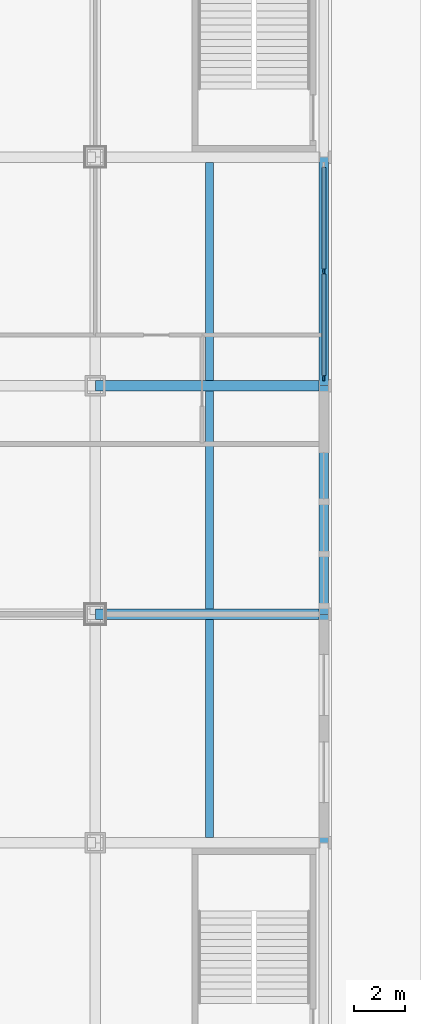
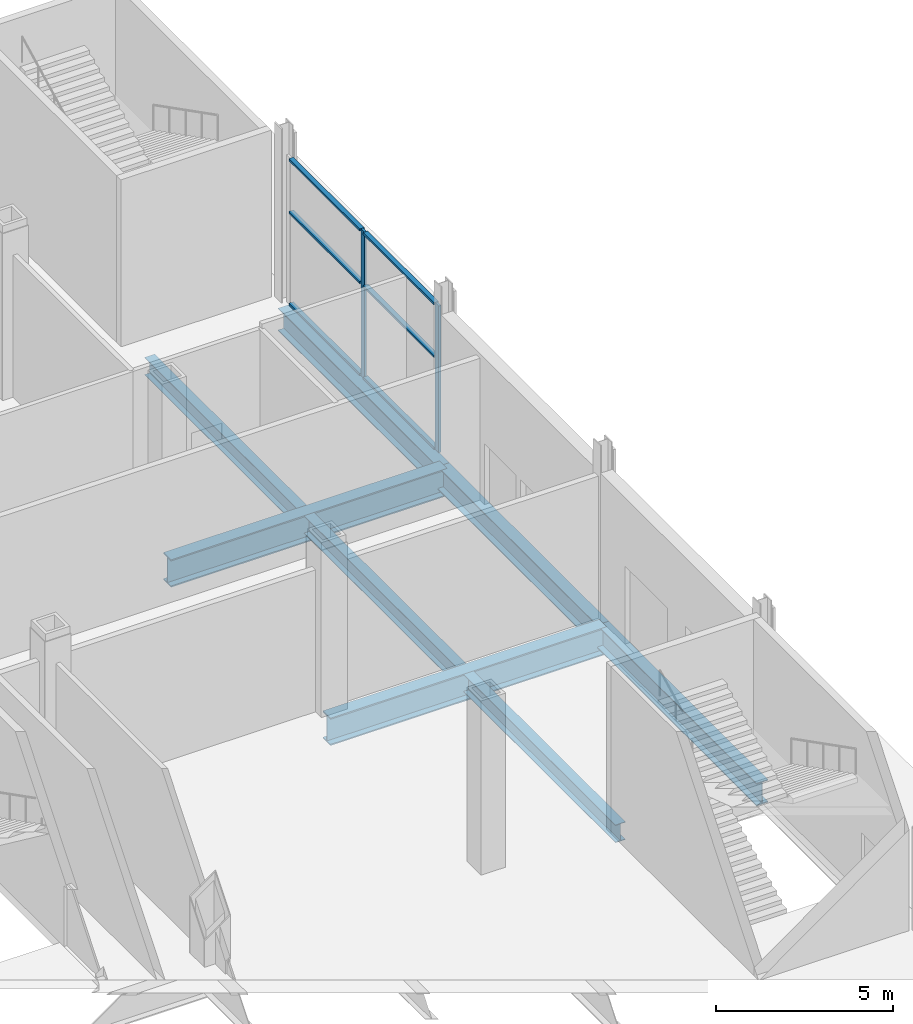
# One storey, part 13 of 34: 8 beams, 8 members, 1 element without a shape of its own.
"""IFC4 building model written with IfcOpenShell, lengths in metres."""

from ifc_helpers import new_model, si_unit, direction, frame, origin, origin_2d, place, context, subcontext, project, spatial, rectangle, i_section, extrude, material, material_profile, profile_set, type_object, element, aggregate, save


model = new_model("IFC4")

# Units and contexts
model_context = context("Model", 3, precision=1e-05, world=origin(), true_north=direction((0.0, 1.0)))
body_context = subcontext(model_context, "Body", "Model", "MODEL_VIEW")
ifc_project = project(units=[si_unit("LENGTHUNIT", "METRE"), si_unit("AREAUNIT", "SQUARE_METRE"), si_unit("VOLUMEUNIT", "CUBIC_METRE"), si_unit("PLANEANGLEUNIT", "RADIAN"), si_unit("MASSUNIT", "GRAM", prefix="KILO")], contexts=[model_context])

# Site, building, storey
site_placement = place(None, origin())
site = spatial("IfcSite", under=ifc_project, at=site_placement, CompositionType="ELEMENT")
building_placement = place(site_placement, origin())
building = spatial("IfcBuilding", under=site, at=building_placement, Name="Loomwork Tower", CompositionType="ELEMENT")
storey_placement = place(building_placement, origin())
storey = spatial("IfcBuildingStorey", under=building, at=storey_placement, Name="L00", CompositionType="ELEMENT", Elevation=0.0)

# Beams
ifc_material_1 = material(Name="Steel ASTM A992", Category="steel")
ifc_material_profile_1 = material_profile(ifc_material_1, i_section(OverallWidth=0.381103515625, OverallDepth=0.77978515625, WebThickness=0.01806640625, FlangeThickness=0.0302734375, at=origin_2d()), Name="W30x191")
ifc_profile_set_1 = profile_set([ifc_material_profile_1], Name="Steel ASTM A992")
beam_type_1 = type_object("IfcBeamType", Name="EDGE GIRDER W30x191", PredefinedType="BEAM", material=ifc_profile_set_1)
for number, where, z_axis, x_axis, name in (
    (1, (63.0, 9.0, -0.68994140625), (0.0, 1.0, 0.0), (-1.0, 0.0, 0.0), "Edge Girder E/9-F/9 L00"),
    (2, (63.0, 18.0, -0.68994140625), (0.0, 1.0, 0.0), (-1.0, 0.0, 0.0), "Edge Girder F/9-G/9 L00"),
    (3, (63.0, 27.0, -0.68994140625), (0.0, 1.0, 0.0), (-1.0, 0.0, 0.0), "Edge Girder G/9-H/9 L00"),
):
    element("IfcBeam", number, at=place(storey_placement, frame(where, z_axis=z_axis, x_axis=x_axis)), inside=storey, type_object=beam_type_1, Name=name, PredefinedType="BEAM", context=body_context, shape_type="SweptSolid", body=[
        extrude(i_section(OverallWidth=0.381103515625, OverallDepth=0.77978515625, WebThickness=0.01806640625, FlangeThickness=0.0302734375, at=origin_2d()), origin(), (0.0, 0.0, 1.0), 9.0),
    ])
ifc_material_2 = material(Name="Steel ASTM A992", Category="steel")
ifc_material_profile_2 = material_profile(ifc_material_2, i_section(OverallWidth=0.3251953125, OverallDepth=0.612060546875, WebThickness=0.0126953125, FlangeThickness=0.01904296875, at=origin_2d()), Name="W24x104")
ifc_profile_set_2 = profile_set([ifc_material_profile_2], Name="Steel ASTM A992")
beam_type_2 = type_object("IfcBeamType", Name="FLOOR JOIST W24x104", PredefinedType="JOIST", material=ifc_profile_set_2)
for number, where, z_axis, x_axis, name in (
    (4, (58.5, 9.2119140625, -0.60595703125), (0.0, 1.0, 0.0), (-1.0, 0.0, 0.0), "Floor Joist 58.500,9.000-58.500,18.000 L00"),
    (5, (58.5, 18.2119140625, -0.60595703125), (0.0, 1.0, 0.0), (-1.0, 0.0, 0.0), "Floor Joist 58.500,18.000-58.500,27.000 L00"),
    (6, (58.5, 27.2119140625, -0.60595703125), (0.0, 1.0, 0.0), (-1.0, 0.0, 0.0), "Floor Joist 58.500,27.000-58.500,36.000 L00"),
):
    element("IfcBeam", number, at=place(storey_placement, frame(where, z_axis=z_axis, x_axis=x_axis)), inside=storey, type_object=beam_type_2, Name=name, PredefinedType="JOIST", context=body_context, shape_type="SweptSolid", body=[
        extrude(i_section(OverallWidth=0.3251953125, OverallDepth=0.612060546875, WebThickness=0.0126953125, FlangeThickness=0.01904296875, at=origin_2d()), origin(), (0.0, 0.0, 1.0), 8.576171875),
    ])

# Curtain wall, members
ifc_material_3 = material(Name="Aluminium storefront frame", Category="aluminium")
curtain_wall_type = type_object("IfcCurtainWallType", Name="Storefront glazing", PredefinedType="NOTDEFINED", material=ifc_material_3)
curtain_wall_placement = place(storey_placement, origin())
curtain_wall = element("IfcCurtainWall", 7, at=curtain_wall_placement, inside=storey, type_object=curtain_wall_type, Name="Storefront glazing cw/E-27", PredefinedType="NOTDEFINED")
ifc_material_4 = material(Name="Aluminium storefront frame", Category="aluminium")
ifc_material_profile_3 = material_profile(ifc_material_4, rectangle(XDim=0.074951171875, YDim=0.199951171875, at=origin_2d()), Name="AL 75x200")
ifc_profile_set_3 = profile_set([ifc_material_profile_3], Name="Aluminium storefront frame")
member_type_1 = type_object("IfcMemberType", Name="Storefront glazing mullion", PredefinedType="MULLION", material=ifc_profile_set_3)
member_1_placement = place(storey_placement, frame((63.0, 27.30078125, 0.0), z_axis=(0.0, 0.0, 1.0), x_axis=(-1.0, 0.0, 0.0)))
member_1 = element("IfcMember", 8, at=member_1_placement, type_object=member_type_1, Name="CW7 mullion 1", PredefinedType="MULLION", context=body_context, shape_type="SweptSolid", body=[
    extrude(rectangle(XDim=0.074951171875, YDim=0.199951171875, at=origin_2d()), origin(), (0.0, 0.0, 1.0), 5.053955078125),
])
member_2_placement = place(storey_placement, frame((63.0, 31.5, 0.0), z_axis=(0.0, 0.0, 1.0), x_axis=(-1.0, 0.0, 0.0)))
member_2 = element("IfcMember", 9, at=member_2_placement, type_object=member_type_1, Name="CW7 mullion 2", PredefinedType="MULLION", context=body_context, shape_type="SweptSolid", body=[
    extrude(rectangle(XDim=0.074951171875, YDim=0.199951171875, at=origin_2d()), origin(), (0.0, 0.0, 1.0), 5.053955078125),
])
ifc_material_5 = material(Name="Aluminium storefront frame", Category="aluminium")
ifc_material_profile_4 = material_profile(ifc_material_5, rectangle(XDim=0.14990234375, YDim=0.074951171875, at=origin_2d()), Name="AL 75x150")
ifc_profile_set_4 = profile_set([ifc_material_profile_4], Name="Aluminium storefront frame")
member_type_2 = type_object("IfcMemberType", Name="Storefront glazing transom", PredefinedType="USERDEFINED", material=ifc_profile_set_4)
member_3_placement = place(storey_placement, frame((63.0, 27.400634765625, 0.03759765625), z_axis=(0.0, 1.0, 0.0), x_axis=(-1.0, 0.0, 0.0)))
member_3 = element("IfcMember", 10, at=member_3_placement, type_object=member_type_2, Name="CW7 transom 1.1", ObjectType="TRANSOM", PredefinedType="USERDEFINED", context=body_context, shape_type="SweptSolid", body=[
    extrude(rectangle(XDim=0.14990234375, YDim=0.074951171875, at=origin_2d()), origin(), (0.0, 0.0, 1.0), 3.999267578125),
])
member_4_placement = place(storey_placement, frame((63.0, 27.400634765625, 3.199951171875), z_axis=(0.0, 1.0, 0.0), x_axis=(-1.0, 0.0, 0.0)))
member_4 = element("IfcMember", 11, at=member_4_placement, type_object=member_type_2, Name="CW7 transom 1.2", ObjectType="TRANSOM", PredefinedType="USERDEFINED", context=body_context, shape_type="SweptSolid", body=[
    extrude(rectangle(XDim=0.14990234375, YDim=0.074951171875, at=origin_2d()), origin(), (0.0, 0.0, 1.0), 3.999267578125),
])
member_5_placement = place(storey_placement, frame((63.0, 27.400634765625, 5.0166015625), z_axis=(0.0, 1.0, 0.0), x_axis=(-1.0, 0.0, 0.0)))
member_5 = element("IfcMember", 12, at=member_5_placement, type_object=member_type_2, Name="CW7 transom 1.3", ObjectType="TRANSOM", PredefinedType="USERDEFINED", context=body_context, shape_type="SweptSolid", body=[
    extrude(rectangle(XDim=0.14990234375, YDim=0.074951171875, at=origin_2d()), origin(), (0.0, 0.0, 1.0), 3.999267578125),
])
member_6_placement = place(storey_placement, frame((63.0, 31.60009765625, 0.03759765625), z_axis=(0.0, 1.0, 0.0), x_axis=(-1.0, 0.0, 0.0)))
member_6 = element("IfcMember", 13, at=member_6_placement, type_object=member_type_2, Name="CW7 transom 2.1", ObjectType="TRANSOM", PredefinedType="USERDEFINED", context=body_context, shape_type="SweptSolid", body=[
    extrude(rectangle(XDim=0.14990234375, YDim=0.074951171875, at=origin_2d()), origin(), (0.0, 0.0, 1.0), 3.999267578125),
])
member_7_placement = place(storey_placement, frame((63.0, 31.60009765625, 3.199951171875), z_axis=(0.0, 1.0, 0.0), x_axis=(-1.0, 0.0, 0.0)))
member_7 = element("IfcMember", 14, at=member_7_placement, type_object=member_type_2, Name="CW7 transom 2.2", ObjectType="TRANSOM", PredefinedType="USERDEFINED", context=body_context, shape_type="SweptSolid", body=[
    extrude(rectangle(XDim=0.14990234375, YDim=0.074951171875, at=origin_2d()), origin(), (0.0, 0.0, 1.0), 3.999267578125),
])
member_8_placement = place(storey_placement, frame((63.0, 31.60009765625, 5.0166015625), z_axis=(0.0, 1.0, 0.0), x_axis=(-1.0, 0.0, 0.0)))
member_8 = element("IfcMember", 15, at=member_8_placement, type_object=member_type_2, Name="CW7 transom 2.3", ObjectType="TRANSOM", PredefinedType="USERDEFINED", context=body_context, shape_type="SweptSolid", body=[
    extrude(rectangle(XDim=0.14990234375, YDim=0.074951171875, at=origin_2d()), origin(), (0.0, 0.0, 1.0), 3.999267578125),
])
aggregate(curtain_wall, [member_1, member_2, member_3, member_4, member_5, member_6, member_7, member_8])

# Beams
ifc_material_6 = material(Name="Steel ASTM A992", Category="steel")
ifc_material_profile_5 = material_profile(ifc_material_6, i_section(OverallWidth=0.424072265625, OverallDepth=0.947509765625, WebThickness=0.02392578125, FlangeThickness=0.042724609375, at=origin_2d()), Name="W36x302")
ifc_profile_set_5 = profile_set([ifc_material_profile_5], Name="Steel ASTM A992")
beam_type_3 = type_object("IfcBeamType", Name="TRANSFER FLOOR GIRDER W36x302", PredefinedType="BEAM", material=ifc_profile_set_5)
for number, where, z_axis, x_axis, name in (
    (16, (54.0, 18.0, -0.773681640625), (1.0, 0.0, 0.0), (0.0, 1.0, 0.0), "Transfer Floor Girder F/8-F/9 L00"),
    (17, (54.0, 27.0, -0.773681640625), (1.0, 0.0, 0.0), (0.0, 1.0, 0.0), "Transfer Floor Girder G/8-G/9 L00"),
):
    element("IfcBeam", number, at=place(storey_placement, frame(where, z_axis=z_axis, x_axis=x_axis)), inside=storey, type_object=beam_type_3, Name=name, PredefinedType="BEAM", context=body_context, shape_type="SweptSolid", body=[
        extrude(i_section(OverallWidth=0.424072265625, OverallDepth=0.947509765625, WebThickness=0.02392578125, FlangeThickness=0.042724609375, at=origin_2d()), origin(), (0.0, 0.0, 1.0), 9.0),
    ])

save(model, "model.ifc")
